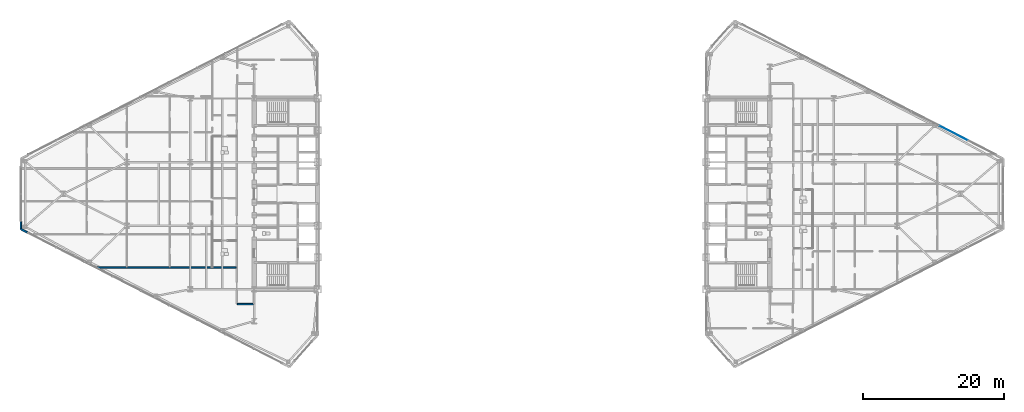
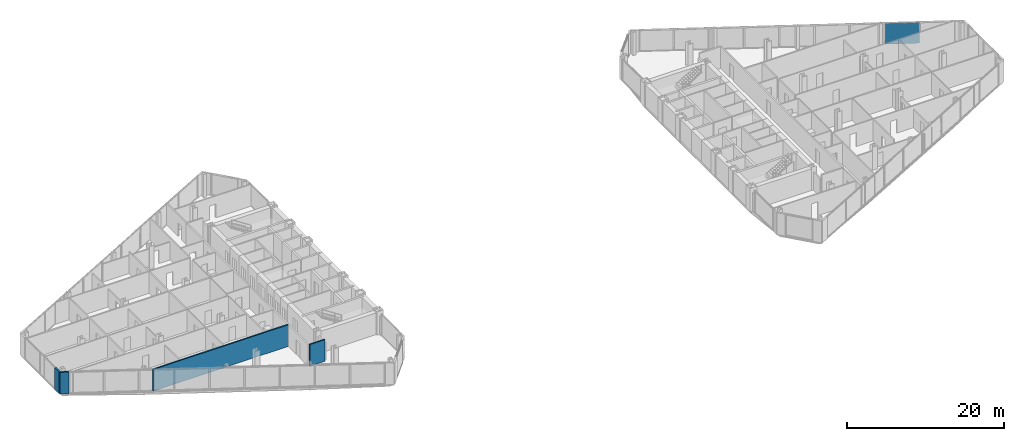
# One storey, part 15 of 24: 4 walls, 1 plate, 1 element without a shape of its own.
"""IFC4 building model written with IfcOpenShell, lengths in metres."""

import ifcopenshell
import ifcopenshell.guid

model = None  # the IFC model being written
_history = None  # IfcOwnerHistory: only IFC2X3 demands one
_inside = {}  # id of a spatial element -> (the spatial element, [elements in it])
_under = {}  # id of a project, library or spatial element -> (it, [spatial elements below it])
_declared = {}  # id of a project -> (the project, [libraries it declares])
_typed = {}  # id of a type object -> (the type object, [elements of that type])
_made_of = {}  # id of a material, layer set ... -> (it, [elements and type objects made of it])


def new_model(schema):
    """Start an empty IFC model of exactly this schema.

    Asked for "IFC4X3", IfcOpenShell would pick the latest addendum, in which some entities
    have other attributes; the version numbers below select the first issue.
    IFC2X3 requires an IfcOwnerHistory on every rooted entity: one is made here for all.
    """
    global model, _history
    if schema == "IFC4X3":
        model = ifcopenshell.file(schema_version=(4, 3, 0, 0))
    else:
        model = ifcopenshell.file(schema=schema)
    _inside.clear()
    _under.clear()
    _declared.clear()
    _typed.clear()
    _made_of.clear()
    _history = None
    if model.schema == "IFC2X3":
        org = make("IfcOrganization", Name="unknown")
        user = make(
            "IfcPersonAndOrganization",
            ThePerson=make("IfcPerson", FamilyName="unknown"),
            TheOrganization=org,
        )
        app = make(
            "IfcApplication",
            ApplicationDeveloper=org,
            Version="unknown",
            ApplicationFullName="unknown",
            ApplicationIdentifier="unknown",
        )
        _history = make(
            "IfcOwnerHistory",
            OwningUser=user,
            OwningApplication=app,
            ChangeAction="ADDED",
            CreationDate=0,
        )
    return model


def make(cls, **values):
    """One entity of the class cls with the attributes given. An attribute that is None is left unset."""
    return model.create_entity(
        cls, **{name: value for name, value in values.items() if value is not None}
    )


def rooted(cls, **values):
    """An entity with a GlobalId (a new one), such as an element, a storey or a relation."""
    return make(cls, GlobalId=ifcopenshell.guid.new(), OwnerHistory=_history, **values)


def si_unit(unit_type, name, prefix=None):
    """IfcSIUnit, for example si_unit("LENGTHUNIT", "METRE", prefix="MILLI")."""
    return make("IfcSIUnit", UnitType=unit_type, Prefix=prefix, Name=name)


def assignment(units):
    """IfcUnitAssignment: the units of a project."""
    return None if units is None else make("IfcUnitAssignment", Units=units)


def point(xyz):
    """IfcCartesianPoint."""
    return None if xyz is None else make("IfcCartesianPoint", Coordinates=xyz)


def direction(xyz):
    """IfcDirection."""
    return None if xyz is None else make("IfcDirection", DirectionRatios=xyz)


def frame(location, z_axis=None, x_axis=None):
    """IfcAxis2Placement3D, a coordinate frame: its origin and axes. An axis left out is left unset."""
    return make(
        "IfcAxis2Placement3D",
        Location=point(location),
        Axis=direction(z_axis),
        RefDirection=direction(x_axis),
    )


def frame_2d(location, x_axis=None):
    """IfcAxis2Placement2D, a coordinate frame in the plane: its origin and x axis."""
    return make(
        "IfcAxis2Placement2D", Location=point(location), RefDirection=direction(x_axis)
    )


def origin():
    """The frame at (0, 0, 0) with its axes left unset."""
    return frame((0.0, 0.0, 0.0))


def origin_2d():
    """The frame at (0, 0) in the plane with its x axis left unset."""
    return frame_2d((0.0, 0.0))


def place(relative_to, where):
    """IfcLocalPlacement: puts the frame where relative to a parent placement (None: the world)."""
    return make(
        "IfcLocalPlacement", PlacementRelTo=relative_to, RelativePlacement=where
    )


def context(
    kind, dimensions, precision=None, world=None, true_north=None, identifier=None
):
    """IfcGeometricRepresentationContext, for example the 3D "Model" context."""
    return make(
        "IfcGeometricRepresentationContext",
        ContextIdentifier=identifier,
        ContextType=kind,
        CoordinateSpaceDimension=dimensions,
        Precision=precision,
        WorldCoordinateSystem=world,
        TrueNorth=true_north,
    )


def subcontext(parent, identifier, kind, view, scale=None):
    """IfcGeometricRepresentationSubContext, for example "Body" below "Model"."""
    return make(
        "IfcGeometricRepresentationSubContext",
        ContextIdentifier=identifier,
        ContextType=kind,
        ParentContext=parent,
        TargetScale=scale,
        TargetView=view,
    )


def project(units=None, contexts=None):
    """IfcProject with its units and contexts."""
    return rooted(
        "IfcProject",
        Name="project",
        RepresentationContexts=contexts,
        UnitsInContext=assignment(units),
    )


def spatial(cls, under=None, at=None, **own):
    """A site, building, storey or space (cls), placed at a placement, below another one or the project."""
    s = rooted(cls, ObjectPlacement=at, **own)
    if under is not None:
        _under.setdefault(under.id(), (under, []))[1].append(s)
    return s


def profile(cls, at=None, kind="AREA", **sizes):
    """A parametric profile (cls). Its sizes go by their IFC names, for example OverallWidth=200.0."""
    return make(cls, ProfileType=kind, Position=at, **sizes)


def rectangle(**sizes):
    """IfcRectangleProfileDef."""
    return profile("IfcRectangleProfileDef", **sizes)


def extrude(swept, where, along, depth):
    """IfcExtrudedAreaSolid: the profile swept, set in the frame where, extruded along a direction by depth."""
    return make(
        "IfcExtrudedAreaSolid",
        SweptArea=swept,
        Position=where,
        ExtrudedDirection=direction(along),
        Depth=depth,
    )


def shape(context_of_items, identifier, shape_type, items):
    """IfcShapeRepresentation: the items that make up one representation, for example the "Body"."""
    return make(
        "IfcShapeRepresentation",
        ContextOfItems=context_of_items,
        RepresentationIdentifier=identifier,
        RepresentationType=shape_type,
        Items=items,
    )


def source(mapping_origin, context_of_items, identifier, shape_type, items):
    """IfcRepresentationMap: a shape defined once, which mapped items show again and again."""
    return make(
        "IfcRepresentationMap",
        MappingOrigin=mapping_origin,
        MappedRepresentation=shape(context_of_items, identifier, shape_type, items),
    )


def transform(
    local_origin,
    x_axis=None,
    y_axis=None,
    z_axis=None,
    scale=None,
    scale2=None,
    scale3=None,
    uniform=True,
):
    """IfcCartesianTransformationOperator3D, or its non-uniform kind. x_axis, y_axis, z_axis: its Axis1, 2, 3."""
    if uniform:
        return make(
            "IfcCartesianTransformationOperator3D",
            Axis1=direction(x_axis),
            Axis2=direction(y_axis),
            LocalOrigin=point(local_origin),
            Scale=scale,
            Axis3=direction(z_axis),
        )
    return make(
        "IfcCartesianTransformationOperator3DnonUniform",
        Axis1=direction(x_axis),
        Axis2=direction(y_axis),
        LocalOrigin=point(local_origin),
        Scale=scale,
        Axis3=direction(z_axis),
        Scale2=scale2,
        Scale3=scale3,
    )


def mapped(mapping_source, mapping_target):
    """IfcMappedItem: shows the shape of a source again, moved by a transform."""
    return make(
        "IfcMappedItem", MappingSource=mapping_source, MappingTarget=mapping_target
    )


def material(Name=None, Category=None):
    """IfcMaterial."""
    return make("IfcMaterial", Name=Name, Category=Category)


def layer(
    of_material, thickness, ventilated=None, Name=None, Category=None, Priority=None
):
    """IfcMaterialLayer: one layer of a wall or slab, of a material (None: an air gap)."""
    return make(
        "IfcMaterialLayer",
        Material=of_material,
        LayerThickness=thickness,
        IsVentilated=ventilated,
        Name=Name,
        Category=Category,
        Priority=Priority,
    )


def layer_set(layers, Name=None):
    """IfcMaterialLayerSet."""
    return make("IfcMaterialLayerSet", MaterialLayers=layers, LayerSetName=Name)


def made_of(thing, what):
    """Note that an element or type object is made of a material, layer set ...; save() writes the relation."""
    if what is not None:
        _made_of.setdefault(what.id(), (what, []))[1].append(thing)
    return thing


def type_object(cls, material=None, **own):
    """A type object (cls), such as IfcWallType, which elements share."""
    return made_of(rooted(cls, **own), material)


def type_shapes(of_type, sources):
    """Give a type object the sources (RepresentationMaps) that its elements show as mapped items."""
    of_type.RepresentationMaps = sources


def element(
    cls,
    number,
    at=None,
    inside=None,
    cuts=None,
    type_object=None,
    material=None,
    context=None,
    identifier="Body",
    shape_type=None,
    held_by="IfcProductDefinitionShape",
    body=None,
    shapes=None,
    **own,
):
    """One element of the class cls, such as IfcWall. Its Tag is "e" and its number.

    at: its placement. inside: the storey or other place that contains it. cuts: it is an
    opening in that element (IfcRelVoidsElement). A single representation is given by context,
    identifier, shape_type and body (its items); several are given by shapes. held_by: the class
    of the entity that holds the representations. save() writes the other relations.
    """
    e = rooted(cls, Tag="e%d" % number, ObjectPlacement=at, **own)
    if body is not None:
        shapes = [shape(context, identifier, shape_type, body)]
    if shapes is not None:
        e.Representation = make(held_by, Representations=shapes)
    if inside is not None:
        _inside.setdefault(inside.id(), (inside, []))[1].append(e)
    if cuts is not None:
        rooted(
            "IfcRelVoidsElement", RelatingBuildingElement=cuts, RelatedOpeningElement=e
        )
    if type_object is not None:
        _typed.setdefault(type_object.id(), (type_object, []))[1].append(e)
    return made_of(e, material)


def aggregate(whole, parts):
    """IfcRelAggregates: a whole, such as a stair, and the parts it consists of."""
    return rooted("IfcRelAggregates", RelatingObject=whole, RelatedObjects=parts)


def save(model, path):
    """Write the relations noted so far, then the file.

    IfcRelAggregates (storeys below a building ...), IfcRelContainedInSpatialStructure (elements
    in a storey), IfcRelDefinesByType, IfcRelAssociatesMaterial and IfcRelDeclares: one each for
    every whole, place, type object, material and project.
    """
    for whole, parts in _under.values():
        aggregate(whole, parts)
    for where, things in _inside.values():
        rooted(
            "IfcRelContainedInSpatialStructure",
            RelatedElements=things,
            RelatingStructure=where,
        )
    for kind, things in _typed.values():
        rooted("IfcRelDefinesByType", RelatedObjects=things, RelatingType=kind)
    for what, things in _made_of.values():
        rooted("IfcRelAssociatesMaterial", RelatedObjects=things, RelatingMaterial=what)
    for by, libraries in _declared.values():
        rooted("IfcRelDeclares", RelatingContext=by, RelatedDefinitions=libraries)
    model.write(path)


model = new_model("IFC4")

# Units and contexts
model_context = context("Model", 3, precision=1e-05, world=origin(), true_north=direction((0.0, 1.0)))
body_context = subcontext(model_context, "Body", "Model", "MODEL_VIEW")
ifc_project = project(units=[si_unit("LENGTHUNIT", "METRE"), si_unit("AREAUNIT", "SQUARE_METRE"), si_unit("VOLUMEUNIT", "CUBIC_METRE"), si_unit("PLANEANGLEUNIT", "RADIAN"), si_unit("MASSUNIT", "GRAM", prefix="KILO")], contexts=[model_context])

# Site, building, storey
site_placement = place(None, origin())
site = spatial("IfcSite", under=ifc_project, at=site_placement, CompositionType="ELEMENT")
building_placement = place(site_placement, origin())
building = spatial("IfcBuilding", under=site, at=building_placement, Name="Seokmaru Belvedere", CompositionType="ELEMENT")
storey_placement = place(building_placement, frame((0.0, 0.0, 121.199951171875)))
storey = spatial("IfcBuildingStorey", under=building, at=storey_placement, Name="L32", CompositionType="ELEMENT", Elevation=121.199951171875)

# Curtain wall, plate
ifc_material_1 = material(Name="Bronze Triple Insulating Glass", Category="glass")
ifc_layer_1 = layer(ifc_material_1, 0.195068359375)
ifc_layer_set_1 = layer_set([ifc_layer_1], Name="Bronze Triple Insulating Glass")
curtain_wall_type = type_object("IfcCurtainWallType", Name="Sky-Lobby and Mid-Rise Curtain Wall System CW-4", PredefinedType="NOTDEFINED", material=ifc_layer_set_1)
curtain_wall_placement = place(storey_placement, origin())
curtain_wall = element("IfcCurtainWall", 1, at=curtain_wall_placement, inside=storey, type_object=curtain_wall_type, Name="L32 Curtain Wall EF3", PredefinedType="NOTDEFINED")
ifc_layer_2 = layer(ifc_material_1, 0.035888671875)
ifc_layer_set_2 = layer_set([ifc_layer_2], Name="Bronze Triple Insulating Glass")
plate_type = type_object("IfcPlateType", Name="Bronze Triple Vision Glazing Panel 36", PredefinedType="CURTAIN_PANEL", material=ifc_layer_set_2)
shared_shape = source(origin(), body_context, "Body", "SweptSolid", [
    extrude(rectangle(XDim=4.420166015625, YDim=0.035888671875, at=origin_2d()), origin(), (0.0, 0.0, 1.0), 3.25),
])
type_shapes(plate_type, [shared_shape])
plate_placement = place(storey_placement, frame((62.484619140625, 8.60009765625, 0.06494140625), z_axis=(0.0, 0.0, 1.0), x_axis=(-0.889695432562, 0.456554528263, 0.0)))
plate = element("IfcPlate", 2, at=plate_placement, type_object=plate_type, Name="CW:L32:EF3 Glazing Panel 2-1", PredefinedType="CURTAIN_PANEL", context=body_context, shape_type="MappedRepresentation", body=[
    mapped(shared_shape, transform((0.0, 0.0, 0.0), scale=1.0)),
])
aggregate(curtain_wall, [plate])

# Walls
ifc_material_2 = material(Name="Fire-Rated Gypsum Shaftwall")
ifc_layer_3 = layer(ifc_material_2, 0.199951171875)
ifc_layer_set_3 = layer_set([ifc_layer_3], Name="Fire-Rated Gypsum Shaftwall")
wall_type_1 = type_object("IfcWallType", Name="Inter-Tenancy Fire Compartment Partition 200", PredefinedType="PARTITIONING", material=ifc_layer_set_3)
wall_1_placement = place(storey_placement, frame((-38.864990234375, -15.60009765625, 0.0), z_axis=(0.0, 0.0, 1.0), x_axis=(1.0, 0.0, 0.0)))
element("IfcWall", 3, at=wall_1_placement, inside=storey, type_object=wall_type_1, Name="L32 Interior Partition 002", PredefinedType="PARTITIONING", context=body_context, shape_type="SweptSolid", body=[
    extrude(rectangle(XDim=2.280029296875, YDim=0.199951171875, at=frame_2d((1.14013671875, 0.0))), origin(), (0.0, 0.0, 1.0), 3.380126953125),
])
wall_2_placement = place(storey_placement, frame((-58.988037109375, -10.39990234375, 0.0), z_axis=(0.0, 0.0, 1.0), x_axis=(1.0, 0.0, 0.0)))
element("IfcWall", 4, at=wall_2_placement, inside=storey, type_object=wall_type_1, Name="L32 Interior Partition 006", PredefinedType="PARTITIONING", context=body_context, shape_type="SweptSolid", body=[
    extrude(rectangle(XDim=19.9580078125, YDim=0.199951171875, at=frame_2d((9.97900390625, 0.0))), origin(), (0.0, 0.0, 1.0), 3.380126953125),
])
ifc_material_3 = material(Name="Anodised Bronze Aluminium", Category="aluminium")
ifc_layer_4 = layer(ifc_material_3, 0.239990234375)
ifc_layer_set_4 = layer_set([ifc_layer_4], Name="Anodised Bronze Aluminium")
wall_type_2 = type_object("IfcWallType", Name="Tower Corner Spandrel Closure Wall 240", PredefinedType="SOLIDWALL", material=ifc_layer_set_4)
wall_3_placement = place(storey_placement, frame((-69.5, -3.85009765625, 0.0), z_axis=(0.0, 0.0, 1.0), x_axis=(0.0, -1.0, 0.0)))
element("IfcWall", 5, at=wall_3_placement, inside=storey, type_object=wall_type_2, Name="L32 W Corner Closure Pier 4B", PredefinedType="SOLIDWALL", context=body_context, shape_type="SweptSolid", body=[
    extrude(rectangle(XDim=1.139892578125, YDim=0.239990234375, at=frame_2d((0.56982421875, 0.0))), origin(), (0.0, 0.0, 1.0), 3.380126953125),
])
wall_4_placement = place(storey_placement, frame((-69.4912109375, -5.004638671875, 0.0), z_axis=(0.0, 0.0, 1.0), x_axis=(0.889797395748, -0.456355776255, 0.0)))
element("IfcWall", 6, at=wall_4_placement, inside=storey, type_object=wall_type_2, Name="L32 W Corner Closure Pier 5A", PredefinedType="SOLIDWALL", context=body_context, shape_type="SweptSolid", body=[
    extrude(rectangle(XDim=1.14013671875, YDim=0.239990234375, at=frame_2d((0.570068359375, 0.0))), origin(), (0.0, 0.0, 1.0), 3.380126953125),
])

save(model, "model.ifc")
